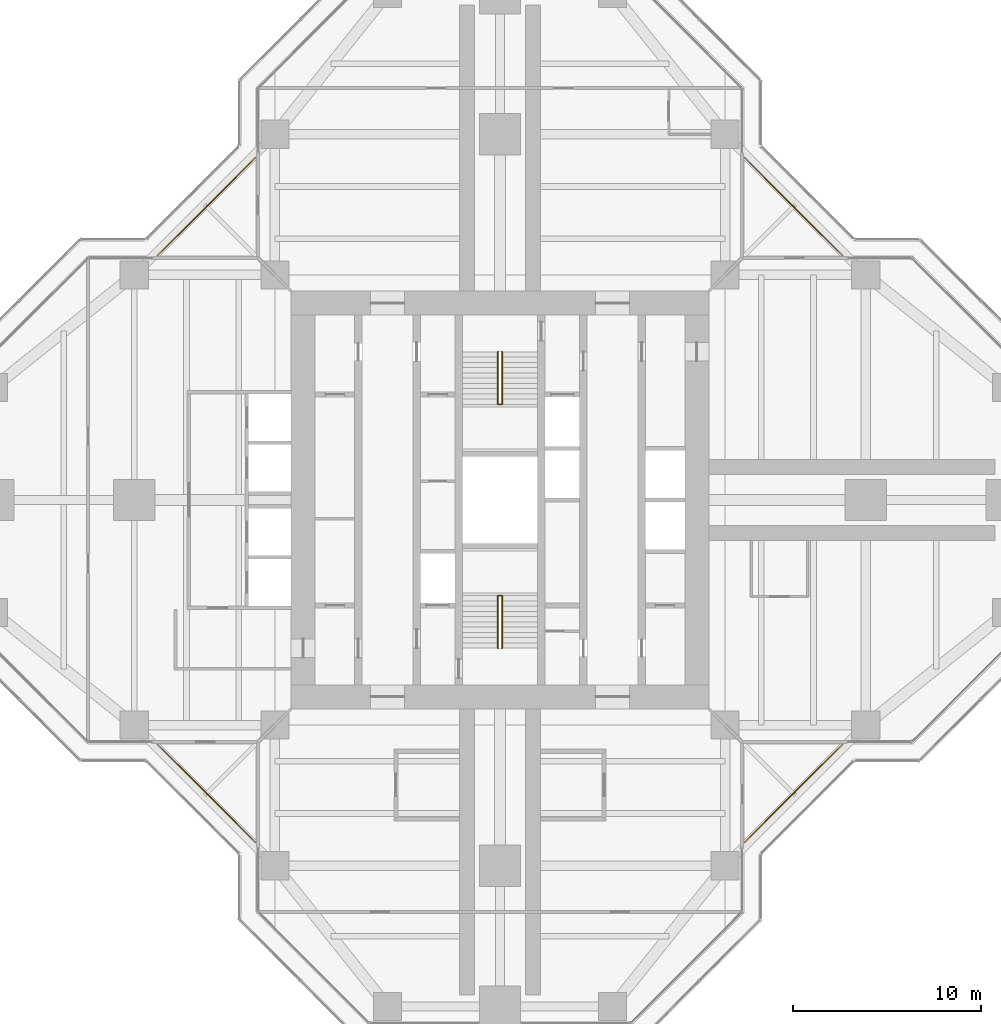
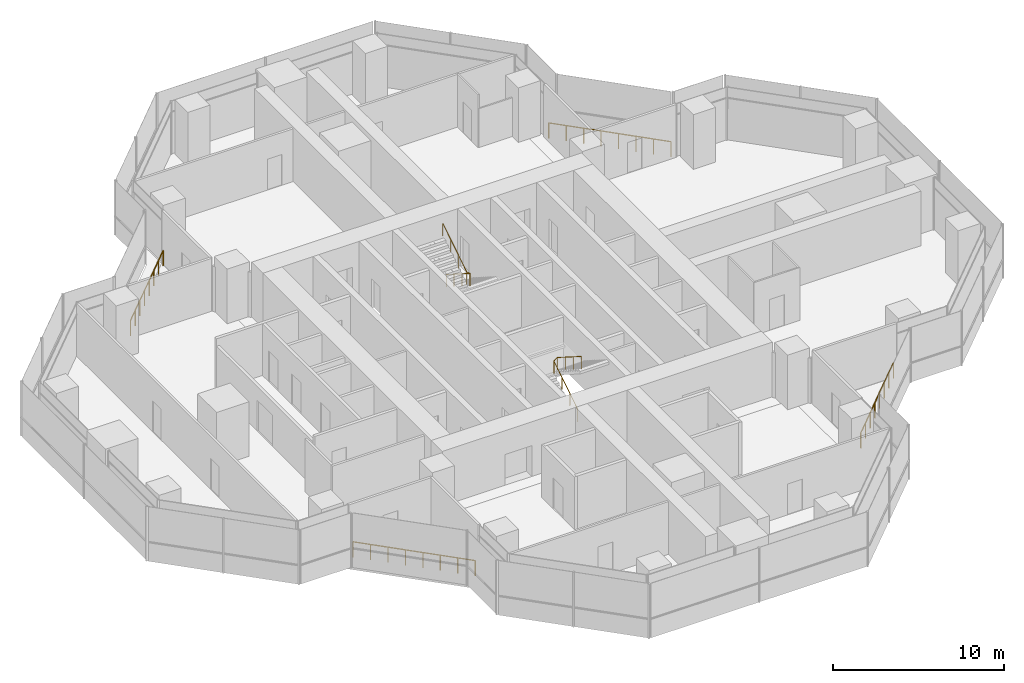
# One storey, part 17 of 17: 6 railings.
"""IFC4 building model written with IfcOpenShell, lengths in metres."""

from ifc_helpers import new_model, si_unit, direction, frame, origin, origin_2d, place, context, subcontext, project, spatial, circle, extrude, material, type_object, element, save


model = new_model("IFC4")

# Units and contexts
model_context = context("Model", 3, precision=1e-05, world=origin(), true_north=direction((0.0, 1.0)))
body_context = subcontext(model_context, "Body", "Model", "MODEL_VIEW")
ifc_project = project(units=[si_unit("LENGTHUNIT", "METRE"), si_unit("AREAUNIT", "SQUARE_METRE"), si_unit("VOLUMEUNIT", "CUBIC_METRE"), si_unit("PLANEANGLEUNIT", "RADIAN"), si_unit("MASSUNIT", "GRAM", prefix="KILO")], contexts=[model_context])

# Site, building, storey
site_placement = place(None, origin())
site = spatial("IfcSite", under=ifc_project, at=site_placement, CompositionType="ELEMENT")
building_placement = place(site_placement, origin())
building = spatial("IfcBuilding", under=site, at=building_placement, Name="Mizan Broadcast Tower", CompositionType="ELEMENT")
storey_placement = place(building_placement, frame((0.0, 0.0, 220.5)))
storey = spatial("IfcBuildingStorey", under=building, at=storey_placement, Name="L51", CompositionType="ELEMENT", Elevation=220.5)

# Railings
ifc_material_1 = material(Name="Stainless steel and glass guard", Category="steel")
railing_type_1 = type_object("IfcRailingType", Name="GUARD 1100", PredefinedType="GUARDRAIL", material=ifc_material_1)
railing_1_placement = place(storey_placement, frame((18.2578125, 13.030029296875, 0.0)))
element("IfcRailing", 1, at=railing_1_placement, inside=storey, type_object=railing_type_1, Name="Winter garden guard L51 E", PredefinedType="GUARDRAIL", context=body_context, shape_type="SweptSolid", body=[
    extrude(circle(Radius=0.02392578125, at=origin_2d()), frame((0.0, 0.0, 1.076171875), z_axis=(-0.707106781187, 0.707106781187, 0.0), x_axis=(-0.707106781187, -0.707106781187, 0.0)), (0.0, 0.0, 1.0), 7.393310546875),
    extrude(circle(Radius=0.02099609375, at=origin_2d()), origin(), (0.0, 0.0, 1.0), 1.052001953125),
    extrude(circle(Radius=0.02099609375, at=origin_2d()), frame((-0.746826171875, 0.746826171875, 0.0)), (0.0, 0.0, 1.0), 1.052001953125),
    extrude(circle(Radius=0.02099609375, at=origin_2d()), frame((-1.49365234375, 1.49365234375, 0.0)), (0.0, 0.0, 1.0), 1.052001953125),
    extrude(circle(Radius=0.02099609375, at=origin_2d()), frame((-2.240478515625, 2.240478515625, 0.0)), (0.0, 0.0, 1.0), 1.052001953125),
    extrude(circle(Radius=0.02099609375, at=origin_2d()), frame((-2.9873046875, 2.9873046875, 0.0)), (0.0, 0.0, 1.0), 1.052001953125),
    extrude(circle(Radius=0.02099609375, at=origin_2d()), frame((-3.734130859375, 3.734130859375, 0.0)), (0.0, 0.0, 1.0), 1.052001953125),
    extrude(circle(Radius=0.02099609375, at=origin_2d()), frame((-4.48095703125, 4.48095703125, 0.0)), (0.0, 0.0, 1.0), 1.052001953125),
    extrude(circle(Radius=0.02099609375, at=origin_2d()), frame((-5.227783203125, 5.227783203125, 0.0)), (0.0, 0.0, 1.0), 1.052001953125),
])
railing_2_placement = place(storey_placement, frame((-13.030029296875, 18.2578125, 0.0)))
element("IfcRailing", 2, at=railing_2_placement, inside=storey, type_object=railing_type_1, Name="Winter garden guard L51 N", PredefinedType="GUARDRAIL", context=body_context, shape_type="SweptSolid", body=[
    extrude(circle(Radius=0.02392578125, at=origin_2d()), frame((0.0, 0.0, 1.076171875), z_axis=(-0.707106781187, -0.707106781187, 0.0), x_axis=(0.707106781187, -0.707106781187, 0.0)), (0.0, 0.0, 1.0), 7.393310546875),
    extrude(circle(Radius=0.02099609375, at=origin_2d()), origin(), (0.0, 0.0, 1.0), 1.052001953125),
    extrude(circle(Radius=0.02099609375, at=origin_2d()), frame((-0.746826171875, -0.746826171875, 0.0)), (0.0, 0.0, 1.0), 1.052001953125),
    extrude(circle(Radius=0.02099609375, at=origin_2d()), frame((-1.49365234375, -1.49365234375, 0.0)), (0.0, 0.0, 1.0), 1.052001953125),
    extrude(circle(Radius=0.02099609375, at=origin_2d()), frame((-2.240478515625, -2.240478515625, 0.0)), (0.0, 0.0, 1.0), 1.052001953125),
    extrude(circle(Radius=0.02099609375, at=origin_2d()), frame((-2.9873046875, -2.9873046875, 0.0)), (0.0, 0.0, 1.0), 1.052001953125),
    extrude(circle(Radius=0.02099609375, at=origin_2d()), frame((-3.734130859375, -3.734130859375, 0.0)), (0.0, 0.0, 1.0), 1.052001953125),
    extrude(circle(Radius=0.02099609375, at=origin_2d()), frame((-4.48095703125, -4.48095703125, 0.0)), (0.0, 0.0, 1.0), 1.052001953125),
    extrude(circle(Radius=0.02099609375, at=origin_2d()), frame((-5.227783203125, -5.227783203125, 0.0)), (0.0, 0.0, 1.0), 1.052001953125),
])
railing_3_placement = place(storey_placement, frame((-18.2578125, -13.030029296875, 0.0)))
element("IfcRailing", 3, at=railing_3_placement, inside=storey, type_object=railing_type_1, Name="Winter garden guard L51 W", PredefinedType="GUARDRAIL", context=body_context, shape_type="SweptSolid", body=[
    extrude(circle(Radius=0.02392578125, at=origin_2d()), frame((0.0, 0.0, 1.076171875), z_axis=(0.707106781187, -0.707106781187, 0.0), x_axis=(0.707106781187, 0.707106781187, 0.0)), (0.0, 0.0, 1.0), 7.393310546875),
    extrude(circle(Radius=0.02099609375, at=origin_2d()), origin(), (0.0, 0.0, 1.0), 1.052001953125),
    extrude(circle(Radius=0.02099609375, at=origin_2d()), frame((0.746826171875, -0.746826171875, 0.0)), (0.0, 0.0, 1.0), 1.052001953125),
    extrude(circle(Radius=0.02099609375, at=origin_2d()), frame((1.49365234375, -1.49365234375, 0.0)), (0.0, 0.0, 1.0), 1.052001953125),
    extrude(circle(Radius=0.02099609375, at=origin_2d()), frame((2.240478515625, -2.240478515625, 0.0)), (0.0, 0.0, 1.0), 1.052001953125),
    extrude(circle(Radius=0.02099609375, at=origin_2d()), frame((2.9873046875, -2.9873046875, 0.0)), (0.0, 0.0, 1.0), 1.052001953125),
    extrude(circle(Radius=0.02099609375, at=origin_2d()), frame((3.734130859375, -3.734130859375, 0.0)), (0.0, 0.0, 1.0), 1.052001953125),
    extrude(circle(Radius=0.02099609375, at=origin_2d()), frame((4.48095703125, -4.48095703125, 0.0)), (0.0, 0.0, 1.0), 1.052001953125),
    extrude(circle(Radius=0.02099609375, at=origin_2d()), frame((5.227783203125, -5.227783203125, 0.0)), (0.0, 0.0, 1.0), 1.052001953125),
])
railing_4_placement = place(storey_placement, frame((13.030029296875, -18.2578125, 0.0)))
element("IfcRailing", 4, at=railing_4_placement, inside=storey, type_object=railing_type_1, Name="Winter garden guard L51 S", PredefinedType="GUARDRAIL", context=body_context, shape_type="SweptSolid", body=[
    extrude(circle(Radius=0.02392578125, at=origin_2d()), frame((0.0, 0.0, 1.076171875), z_axis=(0.707106781187, 0.707106781187, 0.0), x_axis=(-0.707106781187, 0.707106781187, 0.0)), (0.0, 0.0, 1.0), 7.393310546875),
    extrude(circle(Radius=0.02099609375, at=origin_2d()), origin(), (0.0, 0.0, 1.0), 1.052001953125),
    extrude(circle(Radius=0.02099609375, at=origin_2d()), frame((0.746826171875, 0.746826171875, 0.0)), (0.0, 0.0, 1.0), 1.052001953125),
    extrude(circle(Radius=0.02099609375, at=origin_2d()), frame((1.49365234375, 1.49365234375, 0.0)), (0.0, 0.0, 1.0), 1.052001953125),
    extrude(circle(Radius=0.02099609375, at=origin_2d()), frame((2.240478515625, 2.240478515625, 0.0)), (0.0, 0.0, 1.0), 1.052001953125),
    extrude(circle(Radius=0.02099609375, at=origin_2d()), frame((2.9873046875, 2.9873046875, 0.0)), (0.0, 0.0, 1.0), 1.052001953125),
    extrude(circle(Radius=0.02099609375, at=origin_2d()), frame((3.734130859375, 3.734130859375, 0.0)), (0.0, 0.0, 1.0), 1.052001953125),
    extrude(circle(Radius=0.02099609375, at=origin_2d()), frame((4.48095703125, 4.48095703125, 0.0)), (0.0, 0.0, 1.0), 1.052001953125),
    extrude(circle(Radius=0.02099609375, at=origin_2d()), frame((5.227783203125, 5.227783203125, 0.0)), (0.0, 0.0, 1.0), 1.052001953125),
])
ifc_material_2 = material(Name="Stainless steel", Category="steel")
railing_type_2 = type_object("IfcRailingType", Name="HANDRAIL 50", PredefinedType="HANDRAIL", material=ifc_material_2)
railing_5_placement = place(storey_placement, frame((-0.110107421875, -7.89990234375, 0.17724609375)))
element("IfcRailing", 5, at=railing_5_placement, inside=storey, type_object=railing_type_2, Name="Stair A handrail", PredefinedType="HANDRAIL", context=body_context, shape_type="SweptSolid", body=[
    extrude(circle(Radius=0.02392578125, at=origin_2d()), frame((0.0, 0.0, 0.8759765625), z_axis=(0.0, 0.844887892834, 0.53494340686), x_axis=(-1.0, 0.0, 0.0)), (0.0, 0.0, 1.0), 3.313720703125),
    extrude(circle(Radius=0.02392578125, at=origin_2d()), frame((0.0, 2.7998046875, 2.6484375), z_axis=(0.779011685263, 0.0, 0.627009405212), x_axis=(0.0, 1.0, 0.0)), (0.0, 0.0, 1.0), 0.28271484375),
    extrude(circle(Radius=0.02392578125, at=origin_2d()), frame((0.22021484375, 2.7998046875, 2.82568359375), z_axis=(0.0, -0.844887892834, 0.53494340686), x_axis=(1.0, 0.0, 0.0)), (0.0, 0.0, 1.0), 3.313720703125),
    extrude(circle(Radius=0.02099609375, at=origin_2d()), origin(), (0.0, 0.0, 1.0), 0.851806640625),
    extrude(circle(Radius=0.02099609375, at=origin_2d()), frame((0.0, 0.933349609375, 0.5908203125)), (0.0, 0.0, 1.0), 0.851806640625),
    extrude(circle(Radius=0.02099609375, at=origin_2d()), frame((0.0, 1.866455078125, 1.181884765625)), (0.0, 0.0, 1.0), 0.851806640625),
    extrude(circle(Radius=0.02099609375, at=origin_2d()), frame((0.0, 2.7998046875, 1.772705078125)), (0.0, 0.0, 1.0), 0.851806640625),
    extrude(circle(Radius=0.02099609375, at=origin_2d()), frame((0.22021484375, 2.7998046875, 1.949951171875)), (0.0, 0.0, 1.0), 0.851806640625),
    extrude(circle(Radius=0.02099609375, at=origin_2d()), frame((0.22021484375, 1.866455078125, 2.540771484375)), (0.0, 0.0, 1.0), 0.851806640625),
    extrude(circle(Radius=0.02099609375, at=origin_2d()), frame((0.22021484375, 0.933349609375, 3.1318359375)), (0.0, 0.0, 1.0), 0.851806640625),
    extrude(circle(Radius=0.02099609375, at=origin_2d()), frame((0.22021484375, 0.0, 3.72265625)), (0.0, 0.0, 1.0), 0.851806640625),
])
railing_6_placement = place(storey_placement, frame((0.110107421875, 7.89990234375, 0.17724609375)))
element("IfcRailing", 6, at=railing_6_placement, inside=storey, type_object=railing_type_2, Name="Stair B handrail", PredefinedType="HANDRAIL", context=body_context, shape_type="SweptSolid", body=[
    extrude(circle(Radius=0.02392578125, at=origin_2d()), frame((0.0, 0.0, 0.8759765625), z_axis=(0.0, -0.844887892834, 0.53494340686), x_axis=(1.0, 0.0, 0.0)), (0.0, 0.0, 1.0), 3.313720703125),
    extrude(circle(Radius=0.02392578125, at=origin_2d()), frame((0.0, -2.7998046875, 2.6484375), z_axis=(-0.779011685263, 0.0, 0.627009405212), x_axis=(0.0, -1.0, 0.0)), (0.0, 0.0, 1.0), 0.28271484375),
    extrude(circle(Radius=0.02392578125, at=origin_2d()), frame((-0.22021484375, -2.7998046875, 2.82568359375), z_axis=(0.0, 0.844887892834, 0.53494340686), x_axis=(-1.0, 0.0, 0.0)), (0.0, 0.0, 1.0), 3.313720703125),
    extrude(circle(Radius=0.02099609375, at=origin_2d()), origin(), (0.0, 0.0, 1.0), 0.851806640625),
    extrude(circle(Radius=0.02099609375, at=origin_2d()), frame((0.0, -0.933349609375, 0.5908203125)), (0.0, 0.0, 1.0), 0.851806640625),
    extrude(circle(Radius=0.02099609375, at=origin_2d()), frame((0.0, -1.866455078125, 1.181884765625)), (0.0, 0.0, 1.0), 0.851806640625),
    extrude(circle(Radius=0.02099609375, at=origin_2d()), frame((0.0, -2.7998046875, 1.772705078125)), (0.0, 0.0, 1.0), 0.851806640625),
    extrude(circle(Radius=0.02099609375, at=origin_2d()), frame((-0.22021484375, -2.7998046875, 1.949951171875)), (0.0, 0.0, 1.0), 0.851806640625),
    extrude(circle(Radius=0.02099609375, at=origin_2d()), frame((-0.22021484375, -1.866455078125, 2.540771484375)), (0.0, 0.0, 1.0), 0.851806640625),
    extrude(circle(Radius=0.02099609375, at=origin_2d()), frame((-0.22021484375, -0.933349609375, 3.1318359375)), (0.0, 0.0, 1.0), 0.851806640625),
    extrude(circle(Radius=0.02099609375, at=origin_2d()), frame((-0.22021484375, 0.0, 3.72265625)), (0.0, 0.0, 1.0), 0.851806640625),
])

save(model, "model.ifc")
